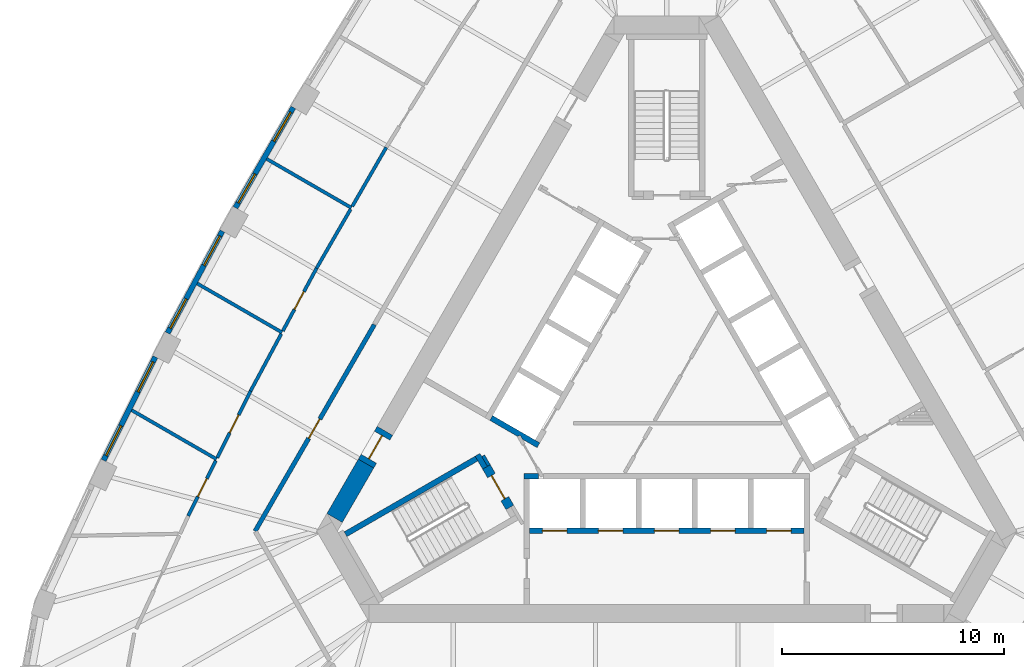
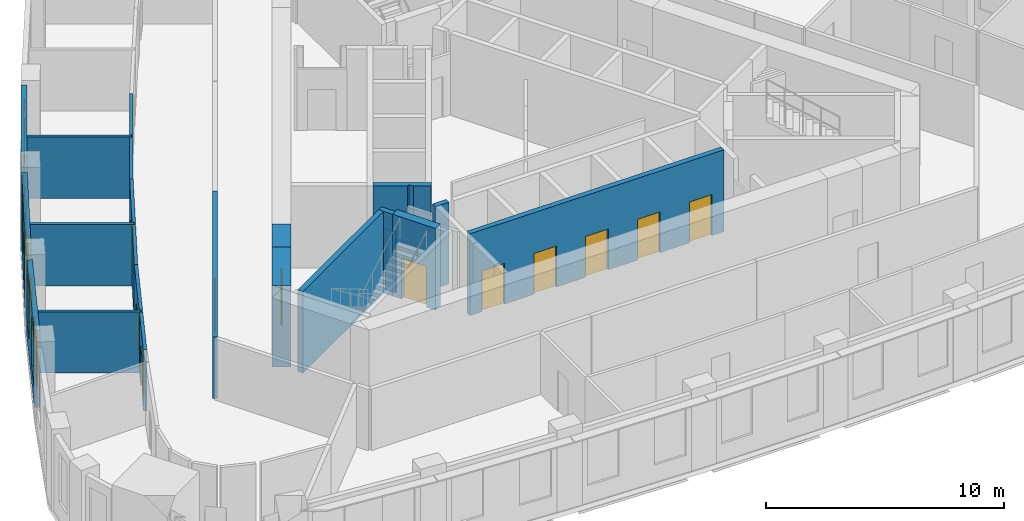
# One storey, part 4 of 11: 22 walls, 11 doors, 6 windows, 17 openings.
"""IFC4 building model written with IfcOpenShell, lengths in metres."""

import ifcopenshell
import ifcopenshell.guid

model = None  # the IFC model being written
_history = None  # IfcOwnerHistory: only IFC2X3 demands one
_inside = {}  # id of a spatial element -> (the spatial element, [elements in it])
_under = {}  # id of a project, library or spatial element -> (it, [spatial elements below it])
_declared = {}  # id of a project -> (the project, [libraries it declares])
_typed = {}  # id of a type object -> (the type object, [elements of that type])
_made_of = {}  # id of a material, layer set ... -> (it, [elements and type objects made of it])


def new_model(schema):
    """Start an empty IFC model of exactly this schema.

    Asked for "IFC4X3", IfcOpenShell would pick the latest addendum, in which some entities
    have other attributes; the version numbers below select the first issue.
    IFC2X3 requires an IfcOwnerHistory on every rooted entity: one is made here for all.
    """
    global model, _history
    if schema == "IFC4X3":
        model = ifcopenshell.file(schema_version=(4, 3, 0, 0))
    else:
        model = ifcopenshell.file(schema=schema)
    _inside.clear()
    _under.clear()
    _declared.clear()
    _typed.clear()
    _made_of.clear()
    _history = None
    if model.schema == "IFC2X3":
        org = make("IfcOrganization", Name="unknown")
        user = make(
            "IfcPersonAndOrganization",
            ThePerson=make("IfcPerson", FamilyName="unknown"),
            TheOrganization=org,
        )
        app = make(
            "IfcApplication",
            ApplicationDeveloper=org,
            Version="unknown",
            ApplicationFullName="unknown",
            ApplicationIdentifier="unknown",
        )
        _history = make(
            "IfcOwnerHistory",
            OwningUser=user,
            OwningApplication=app,
            ChangeAction="ADDED",
            CreationDate=0,
        )
    return model


def make(cls, **values):
    """One entity of the class cls with the attributes given. An attribute that is None is left unset."""
    return model.create_entity(
        cls, **{name: value for name, value in values.items() if value is not None}
    )


def rooted(cls, **values):
    """An entity with a GlobalId (a new one), such as an element, a storey or a relation."""
    return make(cls, GlobalId=ifcopenshell.guid.new(), OwnerHistory=_history, **values)


def si_unit(unit_type, name, prefix=None):
    """IfcSIUnit, for example si_unit("LENGTHUNIT", "METRE", prefix="MILLI")."""
    return make("IfcSIUnit", UnitType=unit_type, Prefix=prefix, Name=name)


def assignment(units):
    """IfcUnitAssignment: the units of a project."""
    return None if units is None else make("IfcUnitAssignment", Units=units)


def point(xyz):
    """IfcCartesianPoint."""
    return None if xyz is None else make("IfcCartesianPoint", Coordinates=xyz)


def direction(xyz):
    """IfcDirection."""
    return None if xyz is None else make("IfcDirection", DirectionRatios=xyz)


def frame(location, z_axis=None, x_axis=None):
    """IfcAxis2Placement3D, a coordinate frame: its origin and axes. An axis left out is left unset."""
    return make(
        "IfcAxis2Placement3D",
        Location=point(location),
        Axis=direction(z_axis),
        RefDirection=direction(x_axis),
    )


def frame_2d(location, x_axis=None):
    """IfcAxis2Placement2D, a coordinate frame in the plane: its origin and x axis."""
    return make(
        "IfcAxis2Placement2D", Location=point(location), RefDirection=direction(x_axis)
    )


def origin():
    """The frame at (0, 0, 0) with its axes left unset."""
    return frame((0.0, 0.0, 0.0))


def place(relative_to, where):
    """IfcLocalPlacement: puts the frame where relative to a parent placement (None: the world)."""
    return make(
        "IfcLocalPlacement", PlacementRelTo=relative_to, RelativePlacement=where
    )


def context(
    kind, dimensions, precision=None, world=None, true_north=None, identifier=None
):
    """IfcGeometricRepresentationContext, for example the 3D "Model" context."""
    return make(
        "IfcGeometricRepresentationContext",
        ContextIdentifier=identifier,
        ContextType=kind,
        CoordinateSpaceDimension=dimensions,
        Precision=precision,
        WorldCoordinateSystem=world,
        TrueNorth=true_north,
    )


def subcontext(parent, identifier, kind, view, scale=None):
    """IfcGeometricRepresentationSubContext, for example "Body" below "Model"."""
    return make(
        "IfcGeometricRepresentationSubContext",
        ContextIdentifier=identifier,
        ContextType=kind,
        ParentContext=parent,
        TargetScale=scale,
        TargetView=view,
    )


def project(units=None, contexts=None):
    """IfcProject with its units and contexts."""
    return rooted(
        "IfcProject",
        Name="project",
        RepresentationContexts=contexts,
        UnitsInContext=assignment(units),
    )


def spatial(cls, under=None, at=None, **own):
    """A site, building, storey or space (cls), placed at a placement, below another one or the project."""
    s = rooted(cls, ObjectPlacement=at, **own)
    if under is not None:
        _under.setdefault(under.id(), (under, []))[1].append(s)
    return s


def polyline(points):
    """IfcPolyline through the points."""
    return make("IfcPolyline", Points=[point(p) for p in points])


def profile(cls, at=None, kind="AREA", **sizes):
    """A parametric profile (cls). Its sizes go by their IFC names, for example OverallWidth=200.0."""
    return make(cls, ProfileType=kind, Position=at, **sizes)


def rectangle(**sizes):
    """IfcRectangleProfileDef."""
    return profile("IfcRectangleProfileDef", **sizes)


def outline(outer, holes=None, kind="AREA"):
    """IfcArbitraryClosedProfileDef: a profile drawn as a closed curve; with holes, ...WithVoids."""
    if holes is None:
        return make("IfcArbitraryClosedProfileDef", ProfileType=kind, OuterCurve=outer)
    return make(
        "IfcArbitraryProfileDefWithVoids",
        ProfileType=kind,
        OuterCurve=outer,
        InnerCurves=holes,
    )


def extrude(swept, where, along, depth):
    """IfcExtrudedAreaSolid: the profile swept, set in the frame where, extruded along a direction by depth."""
    return make(
        "IfcExtrudedAreaSolid",
        SweptArea=swept,
        Position=where,
        ExtrudedDirection=direction(along),
        Depth=depth,
    )


def shape(context_of_items, identifier, shape_type, items):
    """IfcShapeRepresentation: the items that make up one representation, for example the "Body"."""
    return make(
        "IfcShapeRepresentation",
        ContextOfItems=context_of_items,
        RepresentationIdentifier=identifier,
        RepresentationType=shape_type,
        Items=items,
    )


def material(Name=None, Category=None):
    """IfcMaterial."""
    return make("IfcMaterial", Name=Name, Category=Category)


def layer(
    of_material, thickness, ventilated=None, Name=None, Category=None, Priority=None
):
    """IfcMaterialLayer: one layer of a wall or slab, of a material (None: an air gap)."""
    return make(
        "IfcMaterialLayer",
        Material=of_material,
        LayerThickness=thickness,
        IsVentilated=ventilated,
        Name=Name,
        Category=Category,
        Priority=Priority,
    )


def layer_set(layers, Name=None):
    """IfcMaterialLayerSet."""
    return make("IfcMaterialLayerSet", MaterialLayers=layers, LayerSetName=Name)


def made_of(thing, what):
    """Note that an element or type object is made of a material, layer set ...; save() writes the relation."""
    if what is not None:
        _made_of.setdefault(what.id(), (what, []))[1].append(thing)
    return thing


def type_object(cls, material=None, **own):
    """A type object (cls), such as IfcWallType, which elements share."""
    return made_of(rooted(cls, **own), material)


def element(
    cls,
    number,
    at=None,
    inside=None,
    cuts=None,
    type_object=None,
    material=None,
    context=None,
    identifier="Body",
    shape_type=None,
    held_by="IfcProductDefinitionShape",
    body=None,
    shapes=None,
    **own,
):
    """One element of the class cls, such as IfcWall. Its Tag is "e" and its number.

    at: its placement. inside: the storey or other place that contains it. cuts: it is an
    opening in that element (IfcRelVoidsElement). A single representation is given by context,
    identifier, shape_type and body (its items); several are given by shapes. held_by: the class
    of the entity that holds the representations. save() writes the other relations.
    """
    e = rooted(cls, Tag="e%d" % number, ObjectPlacement=at, **own)
    if body is not None:
        shapes = [shape(context, identifier, shape_type, body)]
    if shapes is not None:
        e.Representation = make(held_by, Representations=shapes)
    if inside is not None:
        _inside.setdefault(inside.id(), (inside, []))[1].append(e)
    if cuts is not None:
        rooted(
            "IfcRelVoidsElement", RelatingBuildingElement=cuts, RelatedOpeningElement=e
        )
    if type_object is not None:
        _typed.setdefault(type_object.id(), (type_object, []))[1].append(e)
    return made_of(e, material)


def fill(opening, filler):
    """IfcRelFillsElement: the door or window that sits in an opening."""
    return rooted(
        "IfcRelFillsElement",
        RelatingOpeningElement=opening,
        RelatedBuildingElement=filler,
    )


def aggregate(whole, parts):
    """IfcRelAggregates: a whole, such as a stair, and the parts it consists of."""
    return rooted("IfcRelAggregates", RelatingObject=whole, RelatedObjects=parts)


def save(model, path):
    """Write the relations noted so far, then the file.

    IfcRelAggregates (storeys below a building ...), IfcRelContainedInSpatialStructure (elements
    in a storey), IfcRelDefinesByType, IfcRelAssociatesMaterial and IfcRelDeclares: one each for
    every whole, place, type object, material and project.
    """
    for whole, parts in _under.values():
        aggregate(whole, parts)
    for where, things in _inside.values():
        rooted(
            "IfcRelContainedInSpatialStructure",
            RelatedElements=things,
            RelatingStructure=where,
        )
    for kind, things in _typed.values():
        rooted("IfcRelDefinesByType", RelatedObjects=things, RelatingType=kind)
    for what, things in _made_of.values():
        rooted("IfcRelAssociatesMaterial", RelatedObjects=things, RelatingMaterial=what)
    for by, libraries in _declared.values():
        rooted("IfcRelDeclares", RelatingContext=by, RelatedDefinitions=libraries)
    model.write(path)


model = new_model("IFC4")

# Units and contexts
model_context = context("Model", 3, precision=1e-05, world=origin(), true_north=direction((0.0, 1.0)))
body_context = subcontext(model_context, "Body", "Model", "MODEL_VIEW")
ifc_project = project(units=[si_unit("LENGTHUNIT", "METRE"), si_unit("AREAUNIT", "SQUARE_METRE"), si_unit("VOLUMEUNIT", "CUBIC_METRE"), si_unit("PLANEANGLEUNIT", "RADIAN"), si_unit("MASSUNIT", "GRAM", prefix="KILO")], contexts=[model_context])

# Site, building, storey
site_placement = place(None, origin())
site = spatial("IfcSite", under=ifc_project, at=site_placement, CompositionType="ELEMENT")
building_placement = place(site_placement, origin())
building = spatial("IfcBuilding", under=site, at=building_placement, Name="Mestral Congress Tower", CompositionType="ELEMENT")
storey_placement = place(building_placement, frame((0.0, 0.0, 166.800048828125)))
storey = spatial("IfcBuildingStorey", under=building, at=storey_placement, Name="L39", CompositionType="ELEMENT", Elevation=166.800048828125)

# Walls
ifc_material_1 = material(Name="Fire-rated board partition")
ifc_layer_1 = layer(ifc_material_1, 0.14990234375)
ifc_layer_set_1 = layer_set([ifc_layer_1], Name="Fire-rated board partition")
wall_type_1 = type_object("IfcWallType", Name="Core partition 150", PredefinedType="PARTITIONING", material=ifc_layer_set_1)
wall_1_placement = place(storey_placement, frame((-8.251953125, -2.958251953125, 0.0), z_axis=(0.0, 0.0, 1.0), x_axis=(0.500174715838, -0.865924508047, 0.0)))
element("IfcWall", 1, at=wall_1_placement, inside=storey, type_object=wall_type_1, Name="L39 core wall", PredefinedType="PARTITIONING", context=body_context, shape_type="SweptSolid", body=[
    extrude(rectangle(XDim=0.513916015625, YDim=0.14990234375, at=frame_2d((0.2568359375, 0.0))), origin(), (0.0, 0.0, 1.0), 3.14990234375),
])
ifc_material_2 = material(Name="Concrete C60/75", Category="concrete")
ifc_layer_2 = layer(ifc_material_2, 0.800048828125)
ifc_layer_set_2 = layer_set([ifc_layer_2], Name="Concrete C60/75")
wall_type_2 = type_object("IfcWallType", Name="Core wall RC 800", PredefinedType="SOLIDWALL", material=ifc_layer_set_2)
wall_2_placement = place(storey_placement, frame((-13.518310546875, -3.314208984375, 0.0), z_axis=(0.0, 0.0, 1.0), x_axis=(-0.499969377405, -0.866043083026, 0.0)))
element("IfcWall", 2, at=wall_2_placement, inside=storey, type_object=wall_type_2, Name="L39 core wall", PredefinedType="SOLIDWALL", context=body_context, shape_type="SweptSolid", body=[
    extrude(rectangle(XDim=2.824462890625, YDim=0.800048828125, at=frame_2d((1.412109375, 0.0))), origin(), (0.0, 0.0, 1.0), 4.199951171875),
])

# Wall, opening, door
wall_3_placement = place(storey_placement, frame((-13.518310546875, -3.314208984375, 0.0), z_axis=(0.0, 0.0, 1.0), x_axis=(0.500000056704, 0.866025371046, 0.0)))
wall_3 = element("IfcWall", 3, at=wall_3_placement, inside=storey, type_object=wall_type_2, Name="L39 door wall", PredefinedType="SOLIDWALL", context=body_context, shape_type="SweptSolid", body=[
    extrude(rectangle(XDim=1.7001953125, YDim=0.800048828125, at=frame_2d((0.85009765625, 0.0))), origin(), (0.0, 0.0, 1.0), 4.199951171875),
])
opening_1_placement = place(wall_3_placement, frame((0.25, 0.0, 0.0)))
opening_1 = element("IfcOpeningElement", 4, at=opening_1_placement, cuts=wall_3, Name="Opening XD3", PredefinedType="OPENING", context=body_context, shape_type="SweptSolid", body=[
    extrude(rectangle(XDim=1.199951171875, YDim=2.10009765625, at=frame_2d((0.60009765625, 1.050048828125))), frame((0.0, 0.409912109375, 0.0), z_axis=(0.0, -1.0, 0.0), x_axis=(1.0, 0.0, 0.0)), (0.0, 0.0, 1.0), 0.820068359375),
])
ifc_material_3 = material(Name="Fire-rated steel door set", Category="steel")
door_type_1 = type_object("IfcDoorType", Name="Core door XD 1200x2100", OperationType="SINGLE_SWING_LEFT", PredefinedType="DOOR", material=ifc_material_3)
door_1_placement = place(opening_1_placement, origin())
door_1 = element("IfcDoor", 5, at=door_1_placement, inside=storey, type_object=door_type_1, Name="Door XD3", OperationType="SINGLE_SWING_LEFT", OverallHeight=2.10009765625, OverallWidth=1.199951171875, PredefinedType="DOOR", context=body_context, shape_type="SweptSolid", body=[
    extrude(rectangle(XDim=1.199951171875, YDim=2.10009765625, at=frame_2d((0.60009765625, 1.050048828125))), frame((0.0, 0.02490234375, 0.0), z_axis=(0.0, -1.0, 0.0), x_axis=(1.0, 0.0, 0.0)), (0.0, 0.0, 1.0), 0.050048828125),
])
fill(opening_1, door_1)

# Wall, openings, windows
ifc_material_4 = material(Name="Precast concrete C40/50 with limestone facing", Category="masonry")
ifc_layer_3 = layer(ifc_material_4, 0.239990234375)
ifc_layer_set_3 = layer_set([ifc_layer_3], Name="Precast concrete C40/50 with limestone facing")
wall_type_3 = type_object("IfcWallType", Name="Facade stone wall 240", PredefinedType="SOLIDWALL", material=ifc_layer_set_3)
wall_4_placement = place(storey_placement, frame((-16.788818359375, 12.697265625, 0.0), z_axis=(0.0, 0.0, 1.0), x_axis=(-0.500009456303, -0.866019944116, 0.0)))
wall_4 = element("IfcWall", 6, at=wall_4_placement, inside=storey, type_object=wall_type_3, Name="Facade wall F2-03", PredefinedType="SOLIDWALL", context=body_context, shape_type="SweptSolid", body=[
    extrude(rectangle(XDim=5.20361328125, YDim=0.239990234375, at=frame_2d((2.601806640625, 0.0))), origin(), (0.0, 0.0, 1.0), 3.949951171875),
])
opening_2_placement = place(wall_4_placement, frame((0.248291015625, 0.0, 0.89990234375)))
opening_2 = element("IfcOpeningElement", 7, at=opening_2_placement, cuts=wall_4, Name="Opening W4", PredefinedType="OPENING", context=body_context, shape_type="SweptSolid", body=[
    extrude(rectangle(XDim=1.5, YDim=2.550048828125, at=frame_2d((0.75, 1.27490234375))), frame((0.0, 0.1298828125, 0.0), z_axis=(0.0, -1.0, 0.0), x_axis=(1.0, 0.0, 0.0)), (0.0, 0.0, 1.0), 0.260009765625),
])
opening_3_placement = place(wall_4_placement, frame((3.455078125, 0.0, 0.89990234375)))
opening_3 = element("IfcOpeningElement", 8, at=opening_3_placement, cuts=wall_4, Name="Opening W4", PredefinedType="OPENING", context=body_context, shape_type="SweptSolid", body=[
    extrude(rectangle(XDim=1.5, YDim=2.550048828125, at=frame_2d((0.75, 1.27490234375))), frame((0.0, 0.1298828125, 0.0), z_axis=(0.0, -1.0, 0.0), x_axis=(1.0, 0.0, 0.0)), (0.0, 0.0, 1.0), 0.260009765625),
])
ifc_material_5 = material(Name="Clear low-emissivity double glazing", Category="glass")
window_type = type_object("IfcWindowType", Name="Facade punched window 1500 x 2550 sill 900", PartitioningType="SINGLE_PANEL", PredefinedType="WINDOW", material=ifc_material_5)
window_1_placement = place(opening_2_placement, origin())
window_1 = element("IfcWindow", 9, at=window_1_placement, inside=storey, type_object=window_type, Name="Window F2-03a", OverallHeight=2.550048828125, OverallWidth=1.5, PartitioningType="SINGLE_PANEL", PredefinedType="WINDOW", context=body_context, shape_type="SweptSolid", body=[
    extrude(rectangle(XDim=1.5, YDim=2.550048828125, at=frame_2d((0.75, 1.27490234375))), frame((0.0, 0.0400390625, 0.0), z_axis=(0.0, -1.0, 0.0), x_axis=(1.0, 0.0, 0.0)), (0.0, 0.0, 1.0), 0.06005859375),
])
fill(opening_2, window_1)
window_2_placement = place(opening_3_placement, origin())
window_2 = element("IfcWindow", 10, at=window_2_placement, inside=storey, type_object=window_type, Name="Window F2-03b", OverallHeight=2.550048828125, OverallWidth=1.5, PartitioningType="SINGLE_PANEL", PredefinedType="WINDOW", context=body_context, shape_type="SweptSolid", body=[
    extrude(rectangle(XDim=1.5, YDim=2.550048828125, at=frame_2d((0.75, 1.27490234375))), frame((0.0, 0.0400390625, 0.0), z_axis=(0.0, -1.0, 0.0), x_axis=(1.0, 0.0, 0.0)), (0.0, 0.0, 1.0), 0.06005859375),
])
fill(opening_3, window_2)

wall_5_placement = place(storey_placement, frame((-19.976806640625, 7.138671875, 0.0), z_axis=(0.0, 0.0, 1.0), x_axis=(-0.473349833294, -0.880874528704, 0.0)))
wall_5 = element("IfcWall", 11, at=wall_5_placement, inside=storey, type_object=wall_type_3, Name="Facade wall F2-04", PredefinedType="SOLIDWALL", context=body_context, shape_type="SweptSolid", body=[
    extrude(rectangle(XDim=5.20361328125, YDim=0.239990234375, at=frame_2d((2.601806640625, 0.0))), origin(), (0.0, 0.0, 1.0), 3.949951171875),
])
opening_4_placement = place(wall_5_placement, frame((0.248291015625, 0.0, 0.89990234375)))
opening_4 = element("IfcOpeningElement", 12, at=opening_4_placement, cuts=wall_5, Name="Opening W4", PredefinedType="OPENING", context=body_context, shape_type="SweptSolid", body=[
    extrude(rectangle(XDim=1.5, YDim=2.550048828125, at=frame_2d((0.75, 1.27490234375))), frame((0.0, 0.1298828125, 0.0), z_axis=(0.0, -1.0, 0.0), x_axis=(1.0, 0.0, 0.0)), (0.0, 0.0, 1.0), 0.260009765625),
])
opening_5_placement = place(wall_5_placement, frame((3.455078125, 0.0, 0.89990234375)))
opening_5 = element("IfcOpeningElement", 13, at=opening_5_placement, cuts=wall_5, Name="Opening W4", PredefinedType="OPENING", context=body_context, shape_type="SweptSolid", body=[
    extrude(rectangle(XDim=1.5, YDim=2.550048828125, at=frame_2d((0.75, 1.27490234375))), frame((0.0, 0.1298828125, 0.0), z_axis=(0.0, -1.0, 0.0), x_axis=(1.0, 0.0, 0.0)), (0.0, 0.0, 1.0), 0.260009765625),
])
window_3_placement = place(opening_4_placement, origin())
window_3 = element("IfcWindow", 14, at=window_3_placement, inside=storey, type_object=window_type, Name="Window F2-04a", OverallHeight=2.550048828125, OverallWidth=1.5, PartitioningType="SINGLE_PANEL", PredefinedType="WINDOW", context=body_context, shape_type="SweptSolid", body=[
    extrude(rectangle(XDim=1.5, YDim=2.550048828125, at=frame_2d((0.75, 1.27490234375))), frame((0.0, 0.0400390625, 0.0), z_axis=(0.0, -1.0, 0.0), x_axis=(1.0, 0.0, 0.0)), (0.0, 0.0, 1.0), 0.06005859375),
])
fill(opening_4, window_3)
window_4_placement = place(opening_5_placement, origin())
window_4 = element("IfcWindow", 15, at=window_4_placement, inside=storey, type_object=window_type, Name="Window F2-04b", OverallHeight=2.550048828125, OverallWidth=1.5, PartitioningType="SINGLE_PANEL", PredefinedType="WINDOW", context=body_context, shape_type="SweptSolid", body=[
    extrude(rectangle(XDim=1.5, YDim=2.550048828125, at=frame_2d((0.75, 1.27490234375))), frame((0.0, 0.0400390625, 0.0), z_axis=(0.0, -1.0, 0.0), x_axis=(1.0, 0.0, 0.0)), (0.0, 0.0, 1.0), 0.06005859375),
])
fill(opening_5, window_4)

wall_6_placement = place(storey_placement, frame((-22.993896484375, 1.485107421875, 0.0), z_axis=(0.0, 0.0, 1.0), x_axis=(-0.446256171312, -0.8949052629, 0.0)))
wall_6 = element("IfcWall", 16, at=wall_6_placement, inside=storey, type_object=wall_type_3, Name="Facade wall F2-05", PredefinedType="SOLIDWALL", context=body_context, shape_type="SweptSolid", body=[
    extrude(rectangle(XDim=5.203369140625, YDim=0.239990234375, at=frame_2d((2.6015625, 0.0))), origin(), (0.0, 0.0, 1.0), 3.949951171875),
])
opening_6_placement = place(wall_6_placement, frame((0.248291015625, 0.0, 0.89990234375)))
opening_6 = element("IfcOpeningElement", 17, at=opening_6_placement, cuts=wall_6, Name="Opening W4", PredefinedType="OPENING", context=body_context, shape_type="SweptSolid", body=[
    extrude(rectangle(XDim=1.5, YDim=2.550048828125, at=frame_2d((0.75, 1.27490234375))), frame((0.0, 0.1298828125, 0.0), z_axis=(0.0, -1.0, 0.0), x_axis=(1.0, 0.0, 0.0)), (0.0, 0.0, 1.0), 0.260009765625),
])
opening_7_placement = place(wall_6_placement, frame((3.455078125, 0.0, 0.89990234375)))
opening_7 = element("IfcOpeningElement", 18, at=opening_7_placement, cuts=wall_6, Name="Opening W4", PredefinedType="OPENING", context=body_context, shape_type="SweptSolid", body=[
    extrude(rectangle(XDim=1.5, YDim=2.550048828125, at=frame_2d((0.75, 1.27490234375))), frame((0.0, 0.1298828125, 0.0), z_axis=(0.0, -1.0, 0.0), x_axis=(1.0, 0.0, 0.0)), (0.0, 0.0, 1.0), 0.260009765625),
])
window_5_placement = place(opening_6_placement, origin())
window_5 = element("IfcWindow", 19, at=window_5_placement, inside=storey, type_object=window_type, Name="Window F2-05a", OverallHeight=2.550048828125, OverallWidth=1.5, PartitioningType="SINGLE_PANEL", PredefinedType="WINDOW", context=body_context, shape_type="SweptSolid", body=[
    extrude(rectangle(XDim=1.5, YDim=2.550048828125, at=frame_2d((0.75, 1.27490234375))), frame((0.0, 0.0400390625, 0.0), z_axis=(0.0, -1.0, 0.0), x_axis=(1.0, 0.0, 0.0)), (0.0, 0.0, 1.0), 0.06005859375),
])
fill(opening_6, window_5)
window_6_placement = place(opening_7_placement, origin())
window_6 = element("IfcWindow", 20, at=window_6_placement, inside=storey, type_object=window_type, Name="Window F2-05b", OverallHeight=2.550048828125, OverallWidth=1.5, PartitioningType="SINGLE_PANEL", PredefinedType="WINDOW", context=body_context, shape_type="SweptSolid", body=[
    extrude(rectangle(XDim=1.5, YDim=2.550048828125, at=frame_2d((0.75, 1.27490234375))), frame((0.0, 0.0400390625, 0.0), z_axis=(0.0, -1.0, 0.0), x_axis=(1.0, 0.0, 0.0)), (0.0, 0.0, 1.0), 0.06005859375),
])
fill(opening_7, window_6)

# Walls
ifc_material_6 = material(Name="Plasterboard partition on steel studs", Category="steel")
ifc_layer_4 = layer(ifc_material_6, 0.14990234375)
ifc_layer_set_4 = layer_set([ifc_layer_4], Name="Plasterboard partition on steel studs")
wall_type_4 = type_object("IfcWallType", Name="Office partition 150", PredefinedType="PARTITIONING", material=ifc_layer_set_4)
wall_7_placement = place(storey_placement, frame((-14.17529296875, 8.18408203125, 0.0), z_axis=(0.0, 0.0, 1.0), x_axis=(-0.866032203192, 0.499988222896, 0.0)))
element("IfcWall", 21, at=wall_7_placement, inside=storey, type_object=wall_type_4, Name="Partition", PredefinedType="PARTITIONING", context=body_context, shape_type="SweptSolid", body=[
    extrude(rectangle(XDim=4.39990234375, YDim=0.14990234375, at=frame_2d((2.199951171875, 0.0))), origin(), (0.0, 0.0, 1.0), 3.14990234375),
])
wall_8_placement = place(storey_placement, frame((-12.607666015625, 10.899169921875, 0.0), z_axis=(0.0, 0.0, 1.0), x_axis=(-0.499991792115, -0.866030142557, 0.0)))
element("IfcWall", 22, at=wall_8_placement, inside=storey, type_object=wall_type_4, Name="Partition", PredefinedType="PARTITIONING", context=body_context, shape_type="SweptSolid", body=[
    extrude(rectangle(XDim=3.06005859375, YDim=0.14990234375, at=frame_2d((1.530029296875, 0.0))), origin(), (0.0, 0.0, 1.0), 3.14990234375),
])
wall_9_placement = place(storey_placement, frame((-17.294677734375, 2.5810546875, 0.0), z_axis=(0.0, 0.0, 1.0), x_axis=(-0.866033195618, 0.499986503906, 0.0)))
element("IfcWall", 23, at=wall_9_placement, inside=storey, type_object=wall_type_4, Name="Partition", PredefinedType="PARTITIONING", context=body_context, shape_type="SweptSolid", body=[
    extrude(rectangle(XDim=4.40185546875, YDim=0.14990234375, at=frame_2d((2.200927734375, 0.0))), origin(), (0.0, 0.0, 1.0), 3.14990234375),
])
wall_10_placement = place(storey_placement, frame((-14.212890625, 8.119140625, 0.0), z_axis=(0.0, 0.0, 1.0), x_axis=(-0.499991792115, -0.866030142557, 0.0)))
element("IfcWall", 24, at=wall_10_placement, inside=storey, type_object=wall_type_4, Name="Partition", PredefinedType="PARTITIONING", context=body_context, shape_type="SweptSolid", body=[
    extrude(rectangle(XDim=3.06005859375, YDim=0.14990234375, at=frame_2d((1.530029296875, 0.0))), origin(), (0.0, 0.0, 1.0), 3.14990234375),
])

# Wall, opening, door
wall_11_placement = place(storey_placement, frame((-17.259033203125, 2.647216796875, 0.0), z_axis=(0.0, 0.0, 1.0), x_axis=(0.473299711777, 0.880901460341, 0.0)))
wall_11 = element("IfcWall", 25, at=wall_11_placement, inside=storey, type_object=wall_type_4, Name="Partition", PredefinedType="PARTITIONING", context=body_context, shape_type="SweptSolid", body=[
    extrude(rectangle(XDim=3.203369140625, YDim=0.14990234375, at=frame_2d((1.6015625, 0.0))), origin(), (0.0, 0.0, 1.0), 3.14990234375),
])
opening_8_placement = place(wall_11_placement, frame((1.103515625, 0.0, 0.0)))
opening_8 = element("IfcOpeningElement", 26, at=opening_8_placement, cuts=wall_11, Name="Opening O03-017", PredefinedType="OPENING", context=body_context, shape_type="SweptSolid", body=[
    extrude(rectangle(XDim=0.89990234375, YDim=2.10009765625, at=frame_2d((0.449951171875, 1.050048828125))), frame((0.0, 0.0849609375, 0.0), z_axis=(0.0, -1.0, 0.0), x_axis=(1.0, 0.0, 0.0)), (0.0, 0.0, 1.0), 0.169921875),
])
ifc_material_7 = material(Name="Timber door set", Category="wood")
door_type_2 = type_object("IfcDoorType", Name="Office door 900x2100", OperationType="SINGLE_SWING_LEFT", PredefinedType="DOOR", material=ifc_material_7)
door_2_placement = place(opening_8_placement, origin())
door_2 = element("IfcDoor", 27, at=door_2_placement, inside=storey, type_object=door_type_2, Name="Door O03-017", OperationType="SINGLE_SWING_LEFT", OverallHeight=2.10009765625, OverallWidth=0.89990234375, PredefinedType="DOOR", context=body_context, shape_type="SweptSolid", body=[
    extrude(rectangle(XDim=0.89990234375, YDim=2.10009765625, at=frame_2d((0.449951171875, 1.050048828125))), frame((0.0, 0.02490234375, 0.0), z_axis=(0.0, -1.0, 0.0), x_axis=(1.0, 0.0, 0.0)), (0.0, 0.0, 1.0), 0.050048828125),
])
fill(opening_8, door_2)

# Walls
wall_12_placement = place(storey_placement, frame((-20.23779296875, -3.11669921875, 0.0), z_axis=(0.0, 0.0, 1.0), x_axis=(-0.866026031126, 0.499998913411, 0.0)))
element("IfcWall", 28, at=wall_12_placement, inside=storey, type_object=wall_type_4, Name="Partition", PredefinedType="PARTITIONING", context=body_context, shape_type="SweptSolid", body=[
    extrude(rectangle(XDim=4.408203125, YDim=0.14990234375, at=frame_2d((2.2041015625, 0.0))), origin(), (0.0, 0.0, 1.0), 3.14990234375),
])
wall_13_placement = place(storey_placement, frame((-17.330078125, 2.514892578125, 0.0), z_axis=(0.0, 0.0, 1.0), x_axis=(-0.473335958085, -0.880881984595, 0.0)))
element("IfcWall", 29, at=wall_13_placement, inside=storey, type_object=wall_type_4, Name="Partition", PredefinedType="PARTITIONING", context=body_context, shape_type="SweptSolid", body=[
    extrude(rectangle(XDim=2.916748046875, YDim=0.14990234375, at=frame_2d((1.45849609375, 0.0))), origin(), (0.0, 0.0, 1.0), 3.14990234375),
])

# Wall, opening, door
wall_14_placement = place(storey_placement, frame((-20.2041015625, -3.04931640625, 0.0), z_axis=(0.0, 0.0, 1.0), x_axis=(0.446250363478, 0.894908159029, 0.0)))
wall_14 = element("IfcWall", 30, at=wall_14_placement, inside=storey, type_object=wall_type_4, Name="Partition", PredefinedType="PARTITIONING", context=body_context, shape_type="SweptSolid", body=[
    extrude(rectangle(XDim=3.3466796875, YDim=0.14990234375, at=frame_2d((1.67333984375, 0.0))), origin(), (0.0, 0.0, 1.0), 3.14990234375),
])
opening_9_placement = place(wall_14_placement, frame((1.24658203125, 0.0, 0.0)))
opening_9 = element("IfcOpeningElement", 31, at=opening_9_placement, cuts=wall_14, Name="Opening O03-018", PredefinedType="OPENING", context=body_context, shape_type="SweptSolid", body=[
    extrude(rectangle(XDim=0.89990234375, YDim=2.10009765625, at=frame_2d((0.449951171875, 1.050048828125))), frame((0.0, 0.0849609375, 0.0), z_axis=(0.0, -1.0, 0.0), x_axis=(1.0, 0.0, 0.0)), (0.0, 0.0, 1.0), 0.169921875),
])
door_3_placement = place(opening_9_placement, origin())
door_3 = element("IfcDoor", 32, at=door_3_placement, inside=storey, type_object=door_type_2, Name="Door O03-018", OperationType="SINGLE_SWING_RIGHT", OverallHeight=2.10009765625, OverallWidth=0.89990234375, PredefinedType="DOOR", context=body_context, shape_type="SweptSolid", body=[
    extrude(rectangle(XDim=0.89990234375, YDim=2.10009765625, at=frame_2d((0.449951171875, 1.050048828125))), frame((0.0, 0.02490234375, 0.0), z_axis=(0.0, -1.0, 0.0), x_axis=(1.0, 0.0, 0.0)), (0.0, 0.0, 1.0), 0.050048828125),
])
fill(opening_9, door_3)

wall_15_placement = place(storey_placement, frame((-21.5087890625, -5.666015625, 0.0), z_axis=(0.0, 0.0, 1.0), x_axis=(0.446192228952, 0.894937145739, 0.0)))
wall_15 = element("IfcWall", 33, at=wall_15_placement, inside=storey, type_object=wall_type_4, Name="Partition", PredefinedType="PARTITIONING", context=body_context, shape_type="SweptSolid", body=[
    extrude(rectangle(XDim=2.773681640625, YDim=0.14990234375, at=frame_2d((1.38671875, 0.0))), origin(), (0.0, 0.0, 1.0), 3.14990234375),
])
opening_10_placement = place(wall_15_placement, frame((0.973388671875, 0.0, 0.0)))
opening_10 = element("IfcOpeningElement", 34, at=opening_10_placement, cuts=wall_15, Name="Opening O03-019", PredefinedType="OPENING", context=body_context, shape_type="SweptSolid", body=[
    extrude(rectangle(XDim=0.89990234375, YDim=2.10009765625, at=frame_2d((0.449951171875, 1.050048828125))), frame((0.0, 0.0849609375, 0.0), z_axis=(0.0, -1.0, 0.0), x_axis=(1.0, 0.0, 0.0)), (0.0, 0.0, 1.0), 0.169921875),
])
door_4_placement = place(opening_10_placement, origin())
door_4 = element("IfcDoor", 35, at=door_4_placement, inside=storey, type_object=door_type_2, Name="Door O03-019", OperationType="SINGLE_SWING_RIGHT", OverallHeight=2.10009765625, OverallWidth=0.89990234375, PredefinedType="DOOR", context=body_context, shape_type="SweptSolid", body=[
    extrude(rectangle(XDim=0.89990234375, YDim=2.10009765625, at=frame_2d((0.449951171875, 1.050048828125))), frame((0.0, 0.02490234375, 0.0), z_axis=(0.0, -1.0, 0.0), x_axis=(1.0, 0.0, 0.0)), (0.0, 0.0, 1.0), 0.050048828125),
])
fill(opening_10, door_4)

ifc_material_8 = material(Name="Dense masonry wall, plastered", Category="masonry")
ifc_layer_5 = layer(ifc_material_8, 0.199951171875)
ifc_layer_set_5 = layer_set([ifc_layer_5], Name="Dense masonry wall, plastered")
wall_type_5 = type_object("IfcWallType", Name="Office tenancy wall 200", PredefinedType="PARTITIONING", material=ifc_layer_set_5)
wall_16_placement = place(storey_placement, frame((-13.1455078125, 2.931396484375, 0.0), z_axis=(0.0, 0.0, 1.0), x_axis=(-0.499997861235, -0.866026638597, 0.0)))
wall_16 = element("IfcWall", 36, at=wall_16_placement, inside=storey, type_object=wall_type_5, Name="Tenancy wall", PredefinedType="PARTITIONING", context=body_context, shape_type="SweptSolid", body=[
    extrude(rectangle(XDim=10.71728515625, YDim=0.199951171875, at=frame_2d((5.358642578125, 0.0))), origin(), (0.0, 0.0, 1.0), 3.14990234375),
])
opening_11_placement = place(wall_16_placement, frame((4.89990234375, 0.0, 0.0)))
opening_11 = element("IfcOpeningElement", 37, at=opening_11_placement, cuts=wall_16, Name="Opening O03-020", PredefinedType="OPENING", context=body_context, shape_type="SweptSolid", body=[
    extrude(rectangle(XDim=1.0, YDim=2.10009765625, at=frame_2d((0.5, 1.050048828125))), frame((0.0, 0.10986328125, 0.0), z_axis=(0.0, -1.0, 0.0), x_axis=(1.0, 0.0, 0.0)), (0.0, 0.0, 1.0), 0.219970703125),
])
ifc_material_9 = material(Name="Fire-rated timber door set", Category="wood")
door_type_3 = type_object("IfcDoorType", Name="Office tenancy entrance door 1000x2100", OperationType="SINGLE_SWING_LEFT", PredefinedType="DOOR", material=ifc_material_9)
door_5_placement = place(opening_11_placement, origin())
door_5 = element("IfcDoor", 38, at=door_5_placement, inside=storey, type_object=door_type_3, Name="Door O03-020", OperationType="SINGLE_SWING_RIGHT", OverallHeight=2.10009765625, OverallWidth=1.0, PredefinedType="DOOR", context=body_context, shape_type="SweptSolid", body=[
    extrude(rectangle(XDim=1.0, YDim=2.10009765625, at=frame_2d((0.5, 1.050048828125))), frame((0.0, 0.02490234375, 0.0), z_axis=(0.0, -1.0, 0.0), x_axis=(1.0, 0.0, 0.0)), (0.0, 0.0, 1.0), 0.050048828125),
])
fill(opening_11, door_5)

# Walls
ifc_layer_6 = layer(ifc_material_2, 0.25)
ifc_layer_set_6 = layer_set([ifc_layer_6], Name="Concrete C60/75")
wall_type_6 = type_object("IfcWallType", Name="Shaft wall RC 250", PredefinedType="SOLIDWALL", material=ifc_layer_set_6)
wall_17_placement = place(storey_placement, frame((-6.425048828125, -3.875, 0.0), z_axis=(0.0, 0.0, 1.0), x_axis=(1.0, 0.0, 0.0)))
element("IfcWall", 39, at=wall_17_placement, inside=storey, type_object=wall_type_6, Name="L39 core wall", PredefinedType="SOLIDWALL", context=body_context, shape_type="SweptSolid", body=[
    extrude(rectangle(XDim=0.657958984375, YDim=0.25, at=frame_2d((0.3291015625, 0.0))), origin(), (0.0, 0.0, 1.0), 4.199951171875),
])
wall_18_placement = place(storey_placement, origin())
element("IfcWall", 40, at=wall_18_placement, inside=storey, type_object=wall_type_6, Name="L39 core wall", PredefinedType="SOLIDWALL", context=body_context, shape_type="SweptSolid", body=[
    extrude(outline(polyline([(-5.921630859375, -2.256591796875), (-5.921630859375, -2.256591796875), (-5.705078125, -2.381591796875), (-5.830078125, -2.597900390625), (-6.48291015625, -2.22119140625), (-6.59130859375, -2.033447265625), (-6.59130859375, -2.033447265625), (-6.69970703125, -2.095947265625), (-7.951904296875, -1.373046875), (-7.826904296875, -1.156494140625), (-5.921630859375, -2.256591796875)])), origin(), (0.0, 0.0, 1.0), 4.199951171875),
])

# Wall, openings, doors
wall_19_placement = place(storey_placement, frame((-6.175048828125, -6.324951171875, 0.0), z_axis=(0.0, 0.0, 1.0), x_axis=(1.0, 0.0, 0.0)))
wall_19 = element("IfcWall", 41, at=wall_19_placement, inside=storey, type_object=wall_type_6, Name="L39 door wall", PredefinedType="SOLIDWALL", context=body_context, shape_type="SweptSolid", body=[
    extrude(rectangle(XDim=12.35009765625, YDim=0.25, at=frame_2d((6.175048828125, 0.0))), origin(), (0.0, 0.0, 1.0), 4.199951171875),
])
opening_12_placement = place(wall_19_placement, frame((0.5849609375, 0.0, 0.0)))
opening_12 = element("IfcOpeningElement", 42, at=opening_12_placement, cuts=wall_19, Name="Opening LD-SOB1", PredefinedType="OPENING", context=body_context, shape_type="SweptSolid", body=[
    extrude(rectangle(XDim=1.10009765625, YDim=2.10009765625, at=frame_2d((0.550048828125, 1.050048828125))), frame((0.0, 0.135009765625, 0.0), z_axis=(0.0, -1.0, 0.0), x_axis=(1.0, 0.0, 0.0)), (0.0, 0.0, 1.0), 0.27001953125),
])
opening_13_placement = place(wall_19_placement, frame((3.10498046875, 0.0, 0.0)))
opening_13 = element("IfcOpeningElement", 43, at=opening_13_placement, cuts=wall_19, Name="Opening LD-SOB2", PredefinedType="OPENING", context=body_context, shape_type="SweptSolid", body=[
    extrude(rectangle(XDim=1.10009765625, YDim=2.10009765625, at=frame_2d((0.550048828125, 1.050048828125))), frame((0.0, 0.135009765625, 0.0), z_axis=(0.0, -1.0, 0.0), x_axis=(1.0, 0.0, 0.0)), (0.0, 0.0, 1.0), 0.27001953125),
])
opening_14_placement = place(wall_19_placement, frame((5.625, 0.0, 0.0)))
opening_14 = element("IfcOpeningElement", 44, at=opening_14_placement, cuts=wall_19, Name="Opening LD-SOB3", PredefinedType="OPENING", context=body_context, shape_type="SweptSolid", body=[
    extrude(rectangle(XDim=1.10009765625, YDim=2.10009765625, at=frame_2d((0.550048828125, 1.050048828125))), frame((0.0, 0.135009765625, 0.0), z_axis=(0.0, -1.0, 0.0), x_axis=(1.0, 0.0, 0.0)), (0.0, 0.0, 1.0), 0.27001953125),
])
opening_15_placement = place(wall_19_placement, frame((8.14501953125, 0.0, 0.0)))
opening_15 = element("IfcOpeningElement", 45, at=opening_15_placement, cuts=wall_19, Name="Opening LD-SOB4", PredefinedType="OPENING", context=body_context, shape_type="SweptSolid", body=[
    extrude(rectangle(XDim=1.10009765625, YDim=2.10009765625, at=frame_2d((0.550048828125, 1.050048828125))), frame((0.0, 0.135009765625, 0.0), z_axis=(0.0, -1.0, 0.0), x_axis=(1.0, 0.0, 0.0)), (0.0, 0.0, 1.0), 0.27001953125),
])
opening_16_placement = place(wall_19_placement, frame((10.6650390625, 0.0, 0.0)))
opening_16 = element("IfcOpeningElement", 46, at=opening_16_placement, cuts=wall_19, Name="Opening LD-SOB5", PredefinedType="OPENING", context=body_context, shape_type="SweptSolid", body=[
    extrude(rectangle(XDim=1.10009765625, YDim=2.10009765625, at=frame_2d((0.550048828125, 1.050048828125))), frame((0.0, 0.135009765625, 0.0), z_axis=(0.0, -1.0, 0.0), x_axis=(1.0, 0.0, 0.0)), (0.0, 0.0, 1.0), 0.27001953125),
])
door_type_4 = type_object("IfcDoorType", Name="Core door LD 1100x2100", OperationType="DOUBLE_DOOR_SLIDING", PredefinedType="DOOR", material=ifc_material_3)
door_6_placement = place(opening_12_placement, origin())
door_6 = element("IfcDoor", 47, at=door_6_placement, inside=storey, type_object=door_type_4, Name="Door LD-SOB1", OperationType="DOUBLE_DOOR_SLIDING", OverallHeight=2.10009765625, OverallWidth=1.10009765625, PredefinedType="DOOR", context=body_context, shape_type="SweptSolid", body=[
    extrude(rectangle(XDim=1.10009765625, YDim=2.10009765625, at=frame_2d((0.550048828125, 1.050048828125))), frame((0.0, 0.02490234375, 0.0), z_axis=(0.0, -1.0, 0.0), x_axis=(1.0, 0.0, 0.0)), (0.0, 0.0, 1.0), 0.050048828125),
])
fill(opening_12, door_6)
door_7_placement = place(opening_13_placement, origin())
door_7 = element("IfcDoor", 48, at=door_7_placement, inside=storey, type_object=door_type_4, Name="Door LD-SOB2", OperationType="DOUBLE_DOOR_SLIDING", OverallHeight=2.10009765625, OverallWidth=1.10009765625, PredefinedType="DOOR", context=body_context, shape_type="SweptSolid", body=[
    extrude(rectangle(XDim=1.10009765625, YDim=2.10009765625, at=frame_2d((0.550048828125, 1.050048828125))), frame((0.0, 0.02490234375, 0.0), z_axis=(0.0, -1.0, 0.0), x_axis=(1.0, 0.0, 0.0)), (0.0, 0.0, 1.0), 0.050048828125),
])
fill(opening_13, door_7)
door_8_placement = place(opening_14_placement, origin())
door_8 = element("IfcDoor", 49, at=door_8_placement, inside=storey, type_object=door_type_4, Name="Door LD-SOB3", OperationType="DOUBLE_DOOR_SLIDING", OverallHeight=2.10009765625, OverallWidth=1.10009765625, PredefinedType="DOOR", context=body_context, shape_type="SweptSolid", body=[
    extrude(rectangle(XDim=1.10009765625, YDim=2.10009765625, at=frame_2d((0.550048828125, 1.050048828125))), frame((0.0, 0.02490234375, 0.0), z_axis=(0.0, -1.0, 0.0), x_axis=(1.0, 0.0, 0.0)), (0.0, 0.0, 1.0), 0.050048828125),
])
fill(opening_14, door_8)
door_9_placement = place(opening_15_placement, origin())
door_9 = element("IfcDoor", 50, at=door_9_placement, inside=storey, type_object=door_type_4, Name="Door LD-SOB4", OperationType="DOUBLE_DOOR_SLIDING", OverallHeight=2.10009765625, OverallWidth=1.10009765625, PredefinedType="DOOR", context=body_context, shape_type="SweptSolid", body=[
    extrude(rectangle(XDim=1.10009765625, YDim=2.10009765625, at=frame_2d((0.550048828125, 1.050048828125))), frame((0.0, 0.02490234375, 0.0), z_axis=(0.0, -1.0, 0.0), x_axis=(1.0, 0.0, 0.0)), (0.0, 0.0, 1.0), 0.050048828125),
])
fill(opening_15, door_9)
door_10_placement = place(opening_16_placement, origin())
door_10 = element("IfcDoor", 51, at=door_10_placement, inside=storey, type_object=door_type_4, Name="Door LD-SOB5", OperationType="DOUBLE_DOOR_SLIDING", OverallHeight=2.10009765625, OverallWidth=1.10009765625, PredefinedType="DOOR", context=body_context, shape_type="SweptSolid", body=[
    extrude(rectangle(XDim=1.10009765625, YDim=2.10009765625, at=frame_2d((0.550048828125, 1.050048828125))), frame((0.0, 0.02490234375, 0.0), z_axis=(0.0, -1.0, 0.0), x_axis=(1.0, 0.0, 0.0)), (0.0, 0.0, 1.0), 0.050048828125),
])
fill(opening_16, door_10)

# Walls
ifc_layer_7 = layer(ifc_material_2, 0.25)
ifc_layer_set_7 = layer_set([ifc_layer_7], Name="Concrete C60/75")
wall_type_7 = type_object("IfcWallType", Name="Stair wall RC 250", PredefinedType="SOLIDWALL", material=ifc_layer_set_7)
wall_20_placement = place(storey_placement, frame((-14.43994140625, -6.489501953125, 0.0), z_axis=(0.0, 0.0, 1.0), x_axis=(0.866022966069, 0.500004222222, 0.0)))
element("IfcWall", 52, at=wall_20_placement, inside=storey, type_object=wall_type_7, Name="L39 core wall", PredefinedType="SOLIDWALL", context=body_context, shape_type="SweptSolid", body=[
    extrude(rectangle(XDim=6.80029296875, YDim=0.25, at=frame_2d((3.400146484375, 0.0))), origin(), (0.0, 0.0, 1.0), 4.199951171875),
])
wall_21_placement = place(storey_placement, frame((-8.167724609375, -3.503173828125, 0.0), z_axis=(0.0, 0.0, 1.0), x_axis=(-0.499952099219, 0.866053057547, 0.0)))
element("IfcWall", 53, at=wall_21_placement, inside=storey, type_object=wall_type_7, Name="L39 core wall", PredefinedType="SOLIDWALL", context=body_context, shape_type="SweptSolid", body=[
    extrude(rectangle(XDim=0.6748046875, YDim=0.25, at=frame_2d((0.33740234375, 0.0))), origin(), (0.0, 0.0, 1.0), 4.199951171875),
])

# Wall, opening, door
ifc_layer_8 = layer(ifc_material_2, 0.39990234375)
ifc_layer_set_8 = layer_set([ifc_layer_8], Name="Concrete C60/75")
wall_type_8 = type_object("IfcWallType", Name="Stair wall RC 250 door-wall 400", PredefinedType="SOLIDWALL", material=ifc_layer_set_8)
wall_22_placement = place(storey_placement, frame((-8.102783203125, -3.4658203125, 0.0), z_axis=(0.0, 0.0, 1.0), x_axis=(0.500078061341, -0.865980330357, 0.0)))
wall_22 = element("IfcWall", 54, at=wall_22_placement, inside=storey, type_object=wall_type_8, Name="L39 door wall", PredefinedType="SOLIDWALL", context=body_context, shape_type="SweptSolid", body=[
    extrude(rectangle(XDim=2.099853515625, YDim=0.39990234375, at=frame_2d((1.0498046875, 0.0))), origin(), (0.0, 0.0, 1.0), 4.199951171875),
])
opening_17_placement = place(wall_22_placement, frame((0.449951171875, 0.0, 0.0)))
opening_17 = element("IfcOpeningElement", 55, at=opening_17_placement, cuts=wall_22, Name="Opening ST-D3", PredefinedType="OPENING", context=body_context, shape_type="SweptSolid", body=[
    extrude(rectangle(XDim=1.199951171875, YDim=2.10009765625, at=frame_2d((0.60009765625, 1.050048828125))), frame((0.0, 0.2099609375, 0.0), z_axis=(0.0, -1.0, 0.0), x_axis=(1.0, 0.0, 0.0)), (0.0, 0.0, 1.0), 0.419921875),
])
door_type_5 = type_object("IfcDoorType", Name="Core door ST 1200x2100", OperationType="SINGLE_SWING_LEFT", PredefinedType="DOOR", material=ifc_material_3)
door_11_placement = place(opening_17_placement, origin())
door_11 = element("IfcDoor", 56, at=door_11_placement, inside=storey, type_object=door_type_5, Name="Door ST-D3", OperationType="SINGLE_SWING_LEFT", OverallHeight=2.10009765625, OverallWidth=1.199951171875, PredefinedType="DOOR", context=body_context, shape_type="SweptSolid", body=[
    extrude(rectangle(XDim=1.199951171875, YDim=2.10009765625, at=frame_2d((0.60009765625, 1.050048828125))), frame((0.0, 0.02490234375, 0.0), z_axis=(0.0, -1.0, 0.0), x_axis=(1.0, 0.0, 0.0)), (0.0, 0.0, 1.0), 0.050048828125),
])
fill(opening_17, door_11)

save(model, "model.ifc")
